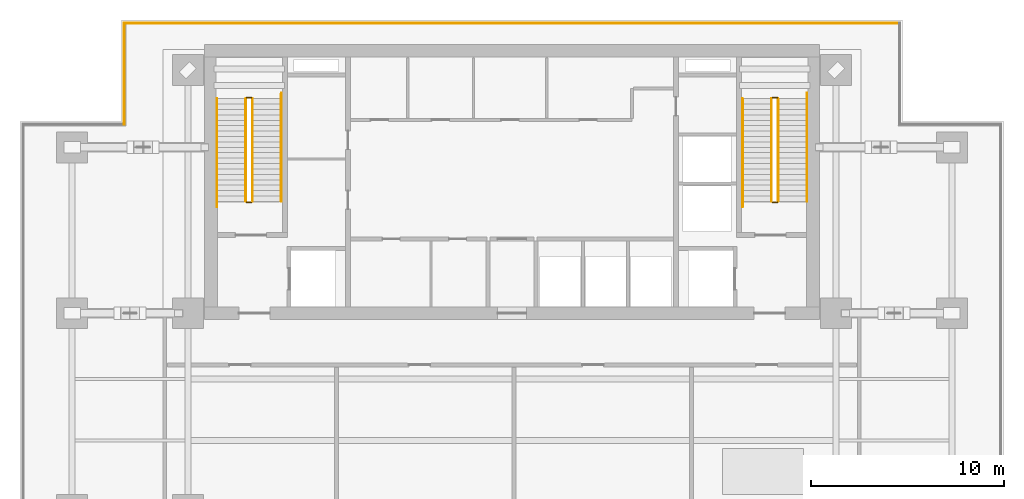
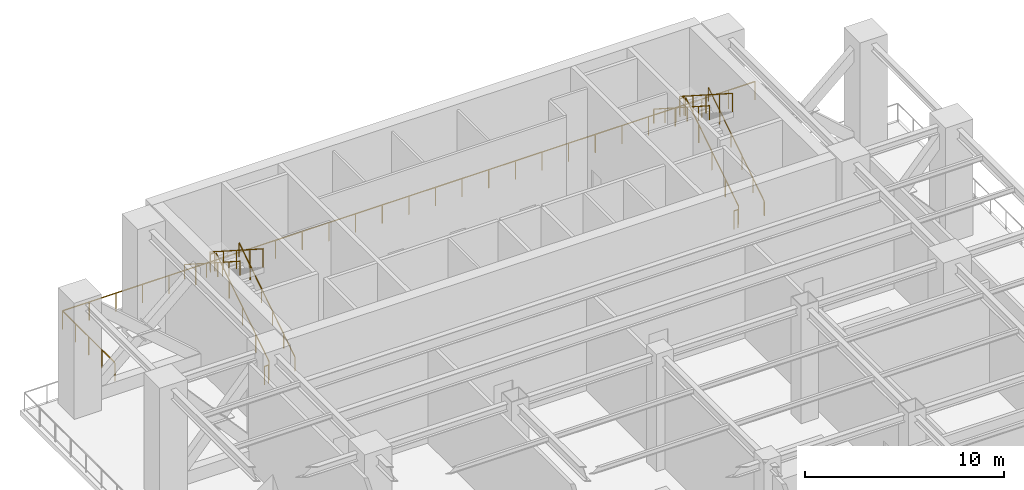
# One storey, part 7 of 9: 14 railings.
"""IFC4 building model written with IfcOpenShell, lengths in metres."""

from ifc_helpers import new_model, si_unit, direction, frame, origin, origin_2d, place, context, subcontext, project, spatial, rectangle, extrude, material, type_object, element, save


model = new_model("IFC4")

# Units and contexts
model_context = context("Model", 3, precision=1e-05, world=origin(), true_north=direction((0.0, 1.0)))
body_context = subcontext(model_context, "Body", "Model", "MODEL_VIEW")
ifc_project = project(units=[si_unit("LENGTHUNIT", "METRE"), si_unit("AREAUNIT", "SQUARE_METRE"), si_unit("VOLUMEUNIT", "CUBIC_METRE"), si_unit("PLANEANGLEUNIT", "RADIAN"), si_unit("MASSUNIT", "GRAM", prefix="KILO")], contexts=[model_context])

# Site, building, storey
site_placement = place(None, origin())
site = spatial("IfcSite", under=ifc_project, at=site_placement, CompositionType="ELEMENT")
building_placement = place(site_placement, origin())
building = spatial("IfcBuilding", under=site, at=building_placement, Name="Sumidabori Civic Tower", CompositionType="ELEMENT")
storey_placement = place(building_placement, frame((0.0, 0.0, 124.39990234375)))
storey = spatial("IfcBuildingStorey", under=building, at=storey_placement, Name="L32", CompositionType="ELEMENT", Elevation=124.39990234375)

# Railings
ifc_material_1 = material(Name="Anodised Bronze Aluminium AW-6063-T6", Category="aluminium")
railing_type_1 = type_object("IfcRailingType", Name="RL-BAL-1150", PredefinedType="BALUSTRADE", material=ifc_material_1)
railing_1_placement = place(storey_placement, frame((-20.090087890625, 19.989990234375, 0.0)))
element("IfcRailing", 1, at=railing_1_placement, inside=storey, type_object=railing_type_1, Name="Wind-Slot Refuge Portal Safety Guard L32-05", PredefinedType="BALUSTRADE", context=body_context, shape_type="SweptSolid", body=[
    extrude(rectangle(XDim=0.048095703125, YDim=0.048095703125, at=origin_2d()), frame((0.0, 0.0, 1.1259765625), z_axis=(0.0, 1.0, 0.0), x_axis=(-1.0, 0.0, 0.0)), (0.0, 0.0, 1.0), 5.25),
    extrude(rectangle(XDim=0.0419921875, YDim=0.0419921875, at=origin_2d()), origin(), (0.0, 0.0, 1.0), 1.101806640625),
    extrude(rectangle(XDim=0.0419921875, YDim=0.0419921875, at=origin_2d()), frame((0.0, 1.3125, 0.0)), (0.0, 0.0, 1.0), 1.101806640625),
    extrude(rectangle(XDim=0.0419921875, YDim=0.0419921875, at=origin_2d()), frame((0.0, 2.625, 0.0)), (0.0, 0.0, 1.0), 1.101806640625),
    extrude(rectangle(XDim=0.0419921875, YDim=0.0419921875, at=origin_2d()), frame((0.0, 3.9375, 0.0)), (0.0, 0.0, 1.0), 1.101806640625),
    extrude(rectangle(XDim=0.0419921875, YDim=0.0419921875, at=origin_2d()), frame((0.0, 5.25, 0.0)), (0.0, 0.0, 1.0), 1.101806640625),
])
railing_2_placement = place(storey_placement, frame((-20.090087890625, 25.239990234375, 0.0)))
element("IfcRailing", 2, at=railing_2_placement, inside=storey, type_object=railing_type_1, Name="Wind-Slot Refuge Portal Safety Guard L32-06", PredefinedType="BALUSTRADE", context=body_context, shape_type="SweptSolid", body=[
    extrude(rectangle(XDim=0.048095703125, YDim=0.048095703125, at=origin_2d()), frame((0.0, 0.0, 1.1259765625), z_axis=(1.0, 0.0, 0.0), x_axis=(0.0, 1.0, 0.0)), (0.0, 0.0, 1.0), 40.18017578125),
    extrude(rectangle(XDim=0.0419921875, YDim=0.0419921875, at=origin_2d()), origin(), (0.0, 0.0, 1.0), 1.101806640625),
    extrude(rectangle(XDim=0.0419921875, YDim=0.0419921875, at=origin_2d()), frame((1.54541015625, 0.0, 0.0)), (0.0, 0.0, 1.0), 1.101806640625),
    extrude(rectangle(XDim=0.0419921875, YDim=0.0419921875, at=origin_2d()), frame((3.0908203125, 0.0, 0.0)), (0.0, 0.0, 1.0), 1.101806640625),
    extrude(rectangle(XDim=0.0419921875, YDim=0.0419921875, at=origin_2d()), frame((4.63623046875, 0.0, 0.0)), (0.0, 0.0, 1.0), 1.101806640625),
    extrude(rectangle(XDim=0.0419921875, YDim=0.0419921875, at=origin_2d()), frame((6.181640625, 0.0, 0.0)), (0.0, 0.0, 1.0), 1.101806640625),
    extrude(rectangle(XDim=0.0419921875, YDim=0.0419921875, at=origin_2d()), frame((7.72705078125, 0.0, 0.0)), (0.0, 0.0, 1.0), 1.101806640625),
    extrude(rectangle(XDim=0.0419921875, YDim=0.0419921875, at=origin_2d()), frame((9.2724609375, 0.0, 0.0)), (0.0, 0.0, 1.0), 1.101806640625),
    extrude(rectangle(XDim=0.0419921875, YDim=0.0419921875, at=origin_2d()), frame((10.817626953125, 0.0, 0.0)), (0.0, 0.0, 1.0), 1.101806640625),
    extrude(rectangle(XDim=0.0419921875, YDim=0.0419921875, at=origin_2d()), frame((12.363037109375, 0.0, 0.0)), (0.0, 0.0, 1.0), 1.101806640625),
    extrude(rectangle(XDim=0.0419921875, YDim=0.0419921875, at=origin_2d()), frame((13.908447265625, 0.0, 0.0)), (0.0, 0.0, 1.0), 1.101806640625),
    extrude(rectangle(XDim=0.0419921875, YDim=0.0419921875, at=origin_2d()), frame((15.453857421875, 0.0, 0.0)), (0.0, 0.0, 1.0), 1.101806640625),
    extrude(rectangle(XDim=0.0419921875, YDim=0.0419921875, at=origin_2d()), frame((16.999267578125, 0.0, 0.0)), (0.0, 0.0, 1.0), 1.101806640625),
    extrude(rectangle(XDim=0.0419921875, YDim=0.0419921875, at=origin_2d()), frame((18.544677734375, 0.0, 0.0)), (0.0, 0.0, 1.0), 1.101806640625),
    extrude(rectangle(XDim=0.0419921875, YDim=0.0419921875, at=origin_2d()), frame((20.090087890625, 0.0, 0.0)), (0.0, 0.0, 1.0), 1.101806640625),
    extrude(rectangle(XDim=0.0419921875, YDim=0.0419921875, at=origin_2d()), frame((21.635498046875, 0.0, 0.0)), (0.0, 0.0, 1.0), 1.101806640625),
    extrude(rectangle(XDim=0.0419921875, YDim=0.0419921875, at=origin_2d()), frame((23.180908203125, 0.0, 0.0)), (0.0, 0.0, 1.0), 1.101806640625),
    extrude(rectangle(XDim=0.0419921875, YDim=0.0419921875, at=origin_2d()), frame((24.726318359375, 0.0, 0.0)), (0.0, 0.0, 1.0), 1.101806640625),
    extrude(rectangle(XDim=0.0419921875, YDim=0.0419921875, at=origin_2d()), frame((26.271728515625, 0.0, 0.0)), (0.0, 0.0, 1.0), 1.101806640625),
    extrude(rectangle(XDim=0.0419921875, YDim=0.0419921875, at=origin_2d()), frame((27.817138671875, 0.0, 0.0)), (0.0, 0.0, 1.0), 1.101806640625),
    extrude(rectangle(XDim=0.0419921875, YDim=0.0419921875, at=origin_2d()), frame((29.362548828125, 0.0, 0.0)), (0.0, 0.0, 1.0), 1.101806640625),
    extrude(rectangle(XDim=0.0419921875, YDim=0.0419921875, at=origin_2d()), frame((30.90771484375, 0.0, 0.0)), (0.0, 0.0, 1.0), 1.101806640625),
    extrude(rectangle(XDim=0.0419921875, YDim=0.0419921875, at=origin_2d()), frame((32.453125, 0.0, 0.0)), (0.0, 0.0, 1.0), 1.101806640625),
    extrude(rectangle(XDim=0.0419921875, YDim=0.0419921875, at=origin_2d()), frame((33.99853515625, 0.0, 0.0)), (0.0, 0.0, 1.0), 1.101806640625),
    extrude(rectangle(XDim=0.0419921875, YDim=0.0419921875, at=origin_2d()), frame((35.5439453125, 0.0, 0.0)), (0.0, 0.0, 1.0), 1.101806640625),
    extrude(rectangle(XDim=0.0419921875, YDim=0.0419921875, at=origin_2d()), frame((37.08935546875, 0.0, 0.0)), (0.0, 0.0, 1.0), 1.101806640625),
    extrude(rectangle(XDim=0.0419921875, YDim=0.0419921875, at=origin_2d()), frame((38.634765625, 0.0, 0.0)), (0.0, 0.0, 1.0), 1.101806640625),
    extrude(rectangle(XDim=0.0419921875, YDim=0.0419921875, at=origin_2d()), frame((40.18017578125, 0.0, 0.0)), (0.0, 0.0, 1.0), 1.101806640625),
])
ifc_material_2 = material(Name="Stainless Steel Hairline Finish", Category="steel")
railing_type_2 = type_object("IfcRailingType", Name="RL-HANDRAIL", PredefinedType="HANDRAIL", material=ifc_material_2)
railing_3_placement = place(storey_placement, frame((-11.949951171875, 16.0, 0.18017578125)))
element("IfcRailing", 3, at=railing_3_placement, inside=storey, type_object=railing_type_2, Name="L32 ST-1 stair handrail 1", PredefinedType="HANDRAIL", context=body_context, shape_type="SweptSolid", body=[
    extrude(rectangle(XDim=0.048095703125, YDim=0.048095703125, at=origin_2d()), frame((0.0, 0.0, 0.8759765625), z_axis=(0.0, 0.840925860763, 0.541150345746), x_axis=(-1.0, 0.0, 0.0)), (0.0, 0.0, 1.0), 6.659423828125),
    extrude(rectangle(XDim=0.0419921875, YDim=0.0419921875, at=origin_2d()), origin(), (0.0, 0.0, 1.0), 0.851806640625),
    extrude(rectangle(XDim=0.0419921875, YDim=0.0419921875, at=origin_2d()), frame((0.0, 1.1201171875, 0.720703125)), (0.0, 0.0, 1.0), 0.851806640625),
    extrude(rectangle(XDim=0.0419921875, YDim=0.0419921875, at=origin_2d()), frame((0.0, 2.239990234375, 1.44140625)), (0.0, 0.0, 1.0), 0.851806640625),
    extrude(rectangle(XDim=0.0419921875, YDim=0.0419921875, at=origin_2d()), frame((0.0, 3.360107421875, 2.162353515625)), (0.0, 0.0, 1.0), 0.851806640625),
    extrude(rectangle(XDim=0.0419921875, YDim=0.0419921875, at=origin_2d()), frame((0.0, 4.47998046875, 2.883056640625)), (0.0, 0.0, 1.0), 0.851806640625),
    extrude(rectangle(XDim=0.0419921875, YDim=0.0419921875, at=origin_2d()), frame((0.0, 5.60009765625, 3.603759765625)), (0.0, 0.0, 1.0), 0.851806640625),
])
railing_4_placement = place(storey_placement, frame((-15.2900390625, 21.320068359375, 3.780029296875)))
element("IfcRailing", 4, at=railing_4_placement, inside=storey, type_object=railing_type_2, Name="L32 ST-1 stair handrail 2", PredefinedType="HANDRAIL", context=body_context, shape_type="SweptSolid", body=[
    extrude(rectangle(XDim=0.048095703125, YDim=0.048095703125, at=origin_2d()), frame((0.0, 0.0, 0.8759765625), z_axis=(0.0, -0.840925860763, 0.541150345746), x_axis=(1.0, 0.0, 0.0)), (0.0, 0.0, 1.0), 6.659423828125),
    extrude(rectangle(XDim=0.0419921875, YDim=0.0419921875, at=origin_2d()), origin(), (0.0, 0.0, 1.0), 0.851806640625),
    extrude(rectangle(XDim=0.0419921875, YDim=0.0419921875, at=origin_2d()), frame((0.0, -1.1201171875, 0.720703125)), (0.0, 0.0, 1.0), 0.851806640625),
    extrude(rectangle(XDim=0.0419921875, YDim=0.0419921875, at=origin_2d()), frame((0.0, -2.239990234375, 1.44140625)), (0.0, 0.0, 1.0), 0.851806640625),
    extrude(rectangle(XDim=0.0419921875, YDim=0.0419921875, at=origin_2d()), frame((0.0, -3.360107421875, 2.162353515625)), (0.0, 0.0, 1.0), 0.851806640625),
    extrude(rectangle(XDim=0.0419921875, YDim=0.0419921875, at=origin_2d()), frame((0.0, -4.47998046875, 2.883056640625)), (0.0, 0.0, 1.0), 0.851806640625),
    extrude(rectangle(XDim=0.0419921875, YDim=0.0419921875, at=origin_2d()), frame((0.0, -5.60009765625, 3.603759765625)), (0.0, 0.0, 1.0), 0.851806640625),
])
railing_5_placement = place(storey_placement, frame((15.2900390625, 16.0, 0.18017578125)))
element("IfcRailing", 5, at=railing_5_placement, inside=storey, type_object=railing_type_2, Name="L32 ST-2 stair handrail 1", PredefinedType="HANDRAIL", context=body_context, shape_type="SweptSolid", body=[
    extrude(rectangle(XDim=0.048095703125, YDim=0.048095703125, at=origin_2d()), frame((0.0, 0.0, 0.8759765625), z_axis=(0.0, 0.840925860763, 0.541150345746), x_axis=(-1.0, 0.0, 0.0)), (0.0, 0.0, 1.0), 6.659423828125),
    extrude(rectangle(XDim=0.0419921875, YDim=0.0419921875, at=origin_2d()), origin(), (0.0, 0.0, 1.0), 0.851806640625),
    extrude(rectangle(XDim=0.0419921875, YDim=0.0419921875, at=origin_2d()), frame((0.0, 1.1201171875, 0.720703125)), (0.0, 0.0, 1.0), 0.851806640625),
    extrude(rectangle(XDim=0.0419921875, YDim=0.0419921875, at=origin_2d()), frame((0.0, 2.239990234375, 1.44140625)), (0.0, 0.0, 1.0), 0.851806640625),
    extrude(rectangle(XDim=0.0419921875, YDim=0.0419921875, at=origin_2d()), frame((0.0, 3.360107421875, 2.162353515625)), (0.0, 0.0, 1.0), 0.851806640625),
    extrude(rectangle(XDim=0.0419921875, YDim=0.0419921875, at=origin_2d()), frame((0.0, 4.47998046875, 2.883056640625)), (0.0, 0.0, 1.0), 0.851806640625),
    extrude(rectangle(XDim=0.0419921875, YDim=0.0419921875, at=origin_2d()), frame((0.0, 5.60009765625, 3.603759765625)), (0.0, 0.0, 1.0), 0.851806640625),
])
railing_6_placement = place(storey_placement, frame((11.949951171875, 21.320068359375, 3.780029296875)))
element("IfcRailing", 6, at=railing_6_placement, inside=storey, type_object=railing_type_2, Name="L32 ST-2 stair handrail 2", PredefinedType="HANDRAIL", context=body_context, shape_type="SweptSolid", body=[
    extrude(rectangle(XDim=0.048095703125, YDim=0.048095703125, at=origin_2d()), frame((0.0, 0.0, 0.8759765625), z_axis=(0.0, -0.840925860763, 0.541150345746), x_axis=(1.0, 0.0, 0.0)), (0.0, 0.0, 1.0), 6.659423828125),
    extrude(rectangle(XDim=0.0419921875, YDim=0.0419921875, at=origin_2d()), origin(), (0.0, 0.0, 1.0), 0.851806640625),
    extrude(rectangle(XDim=0.0419921875, YDim=0.0419921875, at=origin_2d()), frame((0.0, -1.1201171875, 0.720703125)), (0.0, 0.0, 1.0), 0.851806640625),
    extrude(rectangle(XDim=0.0419921875, YDim=0.0419921875, at=origin_2d()), frame((0.0, -2.239990234375, 1.44140625)), (0.0, 0.0, 1.0), 0.851806640625),
    extrude(rectangle(XDim=0.0419921875, YDim=0.0419921875, at=origin_2d()), frame((0.0, -3.360107421875, 2.162353515625)), (0.0, 0.0, 1.0), 0.851806640625),
    extrude(rectangle(XDim=0.0419921875, YDim=0.0419921875, at=origin_2d()), frame((0.0, -4.47998046875, 2.883056640625)), (0.0, 0.0, 1.0), 0.851806640625),
    extrude(rectangle(XDim=0.0419921875, YDim=0.0419921875, at=origin_2d()), frame((0.0, -5.60009765625, 3.603759765625)), (0.0, 0.0, 1.0), 0.851806640625),
])
ifc_material_3 = material(Name="Steel SN490", Category="steel")
railing_type_3 = type_object("IfcRailingType", Name="RL-STAIR-GUARD", PredefinedType="GUARDRAIL", material=ifc_material_3)
railing_7_placement = place(storey_placement, frame((-13.449951171875, 16.0, 0.18017578125)))
element("IfcRailing", 7, at=railing_7_placement, inside=storey, type_object=railing_type_3, Name="L32 ST-1 stair guard 1", PredefinedType="GUARDRAIL", context=body_context, shape_type="SweptSolid", body=[
    extrude(rectangle(XDim=0.048095703125, YDim=0.048095703125, at=origin_2d()), frame((0.0, 0.0, 1.1259765625), z_axis=(0.0, 0.841187254898, 0.540743934037), x_axis=(-1.0, 0.0, 0.0)), (0.0, 0.0, 1.0), 6.324462890625),
    extrude(rectangle(XDim=0.0419921875, YDim=0.0419921875, at=origin_2d()), origin(), (0.0, 0.0, 1.0), 1.101806640625),
    extrude(rectangle(XDim=0.0419921875, YDim=0.0419921875, at=origin_2d()), frame((0.0, 1.330078125, 0.85498046875)), (0.0, 0.0, 1.0), 1.101806640625),
    extrude(rectangle(XDim=0.0419921875, YDim=0.0419921875, at=origin_2d()), frame((0.0, 2.66015625, 1.7099609375)), (0.0, 0.0, 1.0), 1.101806640625),
    extrude(rectangle(XDim=0.0419921875, YDim=0.0419921875, at=origin_2d()), frame((0.0, 3.989990234375, 2.56494140625)), (0.0, 0.0, 1.0), 1.101806640625),
    extrude(rectangle(XDim=0.0419921875, YDim=0.0419921875, at=origin_2d()), frame((0.0, 5.320068359375, 3.419921875)), (0.0, 0.0, 1.0), 1.101806640625),
])
railing_8_placement = place(storey_placement, frame((-13.5, 21.3701171875, 3.60009765625)))
element("IfcRailing", 8, at=railing_8_placement, inside=storey, type_object=railing_type_3, Name="L32 ST-1 stair guard 2", PredefinedType="GUARDRAIL", context=body_context, shape_type="SweptSolid", body=[
    extrude(rectangle(XDim=0.048095703125, YDim=0.048095703125, at=origin_2d()), frame((0.0, 0.0, 1.1259765625), z_axis=(-1.0, 0.0, 0.0), x_axis=(0.0, -1.0, 0.0)), (0.0, 0.0, 1.0), 0.239990234375),
    extrude(rectangle(XDim=0.0419921875, YDim=0.0419921875, at=origin_2d()), origin(), (0.0, 0.0, 1.0), 1.101806640625),
    extrude(rectangle(XDim=0.0419921875, YDim=0.0419921875, at=origin_2d()), frame((-0.239990234375, 0.0, 0.0)), (0.0, 0.0, 1.0), 1.101806640625),
])
railing_9_placement = place(storey_placement, frame((-13.7900390625, 21.320068359375, 3.780029296875)))
element("IfcRailing", 9, at=railing_9_placement, inside=storey, type_object=railing_type_3, Name="L32 ST-1 stair guard 3", PredefinedType="GUARDRAIL", context=body_context, shape_type="SweptSolid", body=[
    extrude(rectangle(XDim=0.048095703125, YDim=0.048095703125, at=origin_2d()), frame((0.0, 0.0, 1.1259765625), z_axis=(0.0, -0.841169695817, 0.540771248162), x_axis=(1.0, 0.0, 0.0)), (0.0, 0.0, 1.0), 6.32470703125),
    extrude(rectangle(XDim=0.0419921875, YDim=0.0419921875, at=origin_2d()), origin(), (0.0, 0.0, 1.0), 1.101806640625),
    extrude(rectangle(XDim=0.0419921875, YDim=0.0419921875, at=origin_2d()), frame((0.0, -1.330078125, 0.85498046875)), (0.0, 0.0, 1.0), 1.101806640625),
    extrude(rectangle(XDim=0.0419921875, YDim=0.0419921875, at=origin_2d()), frame((0.0, -2.66015625, 1.7099609375)), (0.0, 0.0, 1.0), 1.101806640625),
    extrude(rectangle(XDim=0.0419921875, YDim=0.0419921875, at=origin_2d()), frame((0.0, -3.989990234375, 2.565185546875)), (0.0, 0.0, 1.0), 1.101806640625),
    extrude(rectangle(XDim=0.0419921875, YDim=0.0419921875, at=origin_2d()), frame((0.0, -5.320068359375, 3.420166015625)), (0.0, 0.0, 1.0), 1.101806640625),
])
railing_10_placement = place(storey_placement, frame((-13.5, 15.949951171875, 0.0)))
element("IfcRailing", 10, at=railing_10_placement, inside=storey, type_object=railing_type_3, Name="L32 ST-1 stair guard 4", PredefinedType="GUARDRAIL", context=body_context, shape_type="SweptSolid", body=[
    extrude(rectangle(XDim=0.048095703125, YDim=0.048095703125, at=origin_2d()), frame((0.0, 0.0, 1.1259765625), z_axis=(-1.0, 0.0, 0.0), x_axis=(0.0, -1.0, 0.0)), (0.0, 0.0, 1.0), 0.239990234375),
    extrude(rectangle(XDim=0.0419921875, YDim=0.0419921875, at=origin_2d()), origin(), (0.0, 0.0, 1.0), 1.101806640625),
    extrude(rectangle(XDim=0.0419921875, YDim=0.0419921875, at=origin_2d()), frame((-0.239990234375, 0.0, 0.0)), (0.0, 0.0, 1.0), 1.101806640625),
])
railing_11_placement = place(storey_placement, frame((13.7900390625, 16.0, 0.18017578125)))
element("IfcRailing", 11, at=railing_11_placement, inside=storey, type_object=railing_type_3, Name="L32 ST-2 stair guard 1", PredefinedType="GUARDRAIL", context=body_context, shape_type="SweptSolid", body=[
    extrude(rectangle(XDim=0.048095703125, YDim=0.048095703125, at=origin_2d()), frame((0.0, 0.0, 1.1259765625), z_axis=(0.0, 0.841187254898, 0.540743934037), x_axis=(-1.0, 0.0, 0.0)), (0.0, 0.0, 1.0), 6.324462890625),
    extrude(rectangle(XDim=0.0419921875, YDim=0.0419921875, at=origin_2d()), origin(), (0.0, 0.0, 1.0), 1.101806640625),
    extrude(rectangle(XDim=0.0419921875, YDim=0.0419921875, at=origin_2d()), frame((0.0, 1.330078125, 0.85498046875)), (0.0, 0.0, 1.0), 1.101806640625),
    extrude(rectangle(XDim=0.0419921875, YDim=0.0419921875, at=origin_2d()), frame((0.0, 2.66015625, 1.7099609375)), (0.0, 0.0, 1.0), 1.101806640625),
    extrude(rectangle(XDim=0.0419921875, YDim=0.0419921875, at=origin_2d()), frame((0.0, 3.989990234375, 2.56494140625)), (0.0, 0.0, 1.0), 1.101806640625),
    extrude(rectangle(XDim=0.0419921875, YDim=0.0419921875, at=origin_2d()), frame((0.0, 5.320068359375, 3.419921875)), (0.0, 0.0, 1.0), 1.101806640625),
])
railing_12_placement = place(storey_placement, frame((13.739990234375, 21.3701171875, 3.60009765625)))
element("IfcRailing", 12, at=railing_12_placement, inside=storey, type_object=railing_type_3, Name="L32 ST-2 stair guard 2", PredefinedType="GUARDRAIL", context=body_context, shape_type="SweptSolid", body=[
    extrude(rectangle(XDim=0.048095703125, YDim=0.048095703125, at=origin_2d()), frame((0.0, 0.0, 1.1259765625), z_axis=(-1.0, 0.0, 0.0), x_axis=(0.0, -1.0, 0.0)), (0.0, 0.0, 1.0), 0.239990234375),
    extrude(rectangle(XDim=0.0419921875, YDim=0.0419921875, at=origin_2d()), origin(), (0.0, 0.0, 1.0), 1.101806640625),
    extrude(rectangle(XDim=0.0419921875, YDim=0.0419921875, at=origin_2d()), frame((-0.239990234375, 0.0, 0.0)), (0.0, 0.0, 1.0), 1.101806640625),
])
railing_13_placement = place(storey_placement, frame((13.449951171875, 21.320068359375, 3.780029296875)))
element("IfcRailing", 13, at=railing_13_placement, inside=storey, type_object=railing_type_3, Name="L32 ST-2 stair guard 3", PredefinedType="GUARDRAIL", context=body_context, shape_type="SweptSolid", body=[
    extrude(rectangle(XDim=0.048095703125, YDim=0.048095703125, at=origin_2d()), frame((0.0, 0.0, 1.1259765625), z_axis=(0.0, -0.841169695817, 0.540771248162), x_axis=(1.0, 0.0, 0.0)), (0.0, 0.0, 1.0), 6.32470703125),
    extrude(rectangle(XDim=0.0419921875, YDim=0.0419921875, at=origin_2d()), origin(), (0.0, 0.0, 1.0), 1.101806640625),
    extrude(rectangle(XDim=0.0419921875, YDim=0.0419921875, at=origin_2d()), frame((0.0, -1.330078125, 0.85498046875)), (0.0, 0.0, 1.0), 1.101806640625),
    extrude(rectangle(XDim=0.0419921875, YDim=0.0419921875, at=origin_2d()), frame((0.0, -2.66015625, 1.7099609375)), (0.0, 0.0, 1.0), 1.101806640625),
    extrude(rectangle(XDim=0.0419921875, YDim=0.0419921875, at=origin_2d()), frame((0.0, -3.989990234375, 2.565185546875)), (0.0, 0.0, 1.0), 1.101806640625),
    extrude(rectangle(XDim=0.0419921875, YDim=0.0419921875, at=origin_2d()), frame((0.0, -5.320068359375, 3.420166015625)), (0.0, 0.0, 1.0), 1.101806640625),
])
railing_14_placement = place(storey_placement, frame((13.739990234375, 15.949951171875, 0.0)))
element("IfcRailing", 14, at=railing_14_placement, inside=storey, type_object=railing_type_3, Name="L32 ST-2 stair guard 4", PredefinedType="GUARDRAIL", context=body_context, shape_type="SweptSolid", body=[
    extrude(rectangle(XDim=0.048095703125, YDim=0.048095703125, at=origin_2d()), frame((0.0, 0.0, 1.1259765625), z_axis=(-1.0, 0.0, 0.0), x_axis=(0.0, -1.0, 0.0)), (0.0, 0.0, 1.0), 0.239990234375),
    extrude(rectangle(XDim=0.0419921875, YDim=0.0419921875, at=origin_2d()), origin(), (0.0, 0.0, 1.0), 1.101806640625),
    extrude(rectangle(XDim=0.0419921875, YDim=0.0419921875, at=origin_2d()), frame((-0.239990234375, 0.0, 0.0)), (0.0, 0.0, 1.0), 1.101806640625),
])

save(model, "model.ifc")
